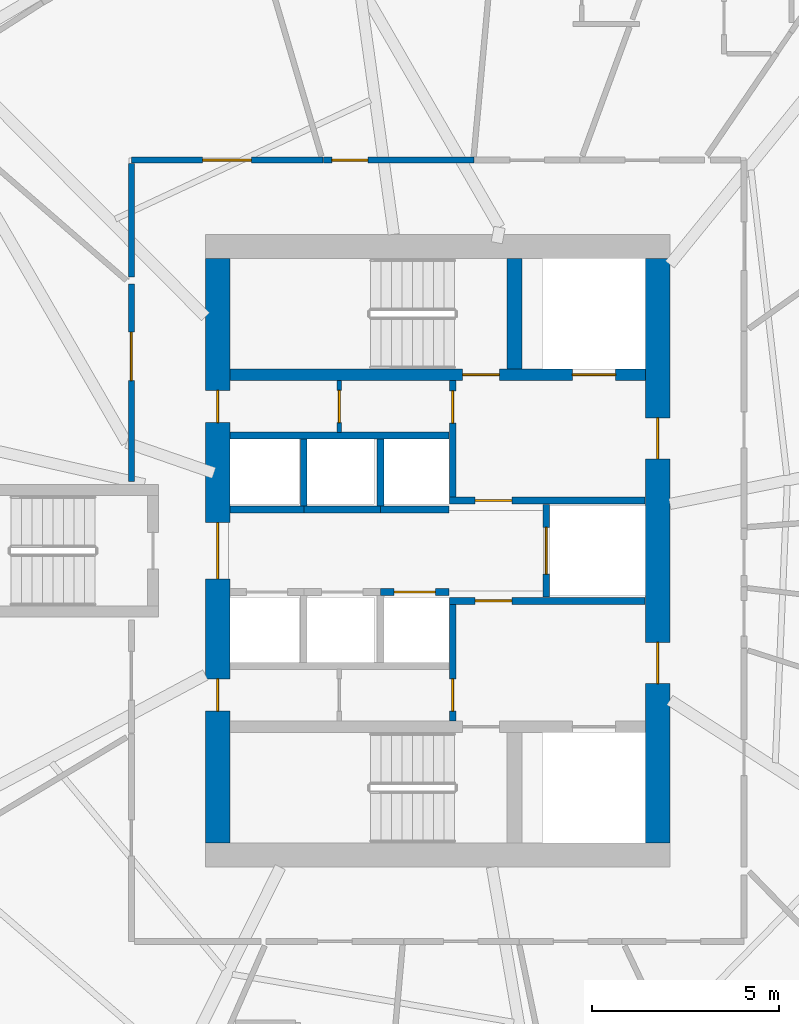
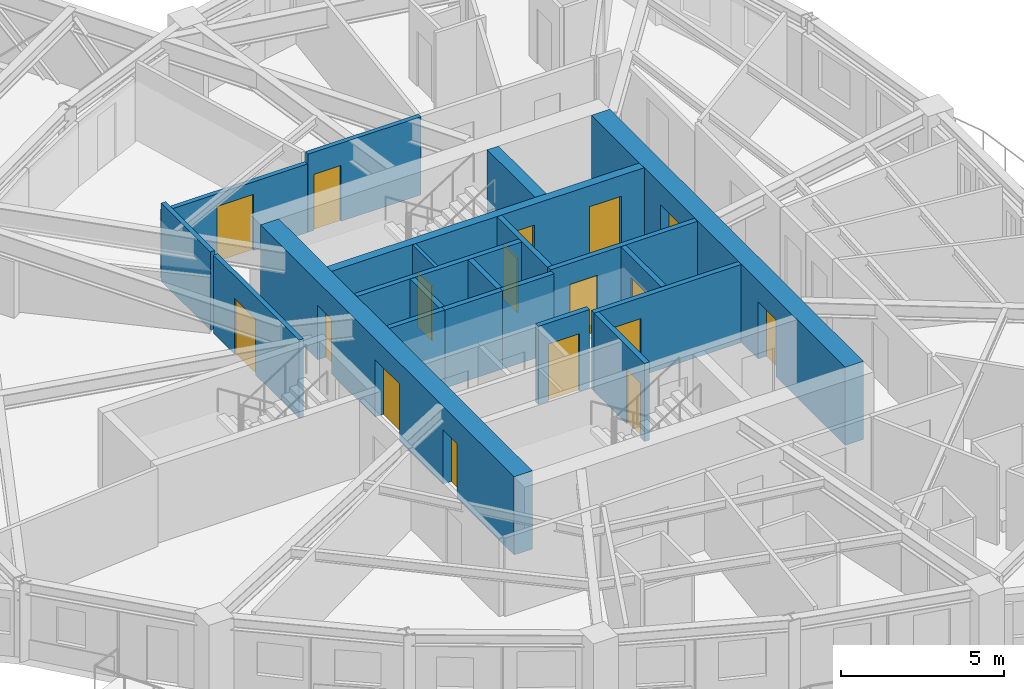
# One storey, part 7 of 14: 21 walls, 17 doors, 17 openings.
"""IFC4 building model written with IfcOpenShell, lengths in metres."""

from ifc_helpers import new_model, si_unit, direction, frame, frame_2d, origin, place, context, subcontext, project, spatial, rectangle, extrude, source, transform, mapped, material, layer, layer_set, type_object, element, fill, save


model = new_model("IFC4")

# Units and contexts
model_context = context("Model", 3, precision=1e-05, world=origin(), true_north=direction((0.0, 1.0)))
body_context = subcontext(model_context, "Body", "Model", "MODEL_VIEW")
ifc_project = project(units=[si_unit("LENGTHUNIT", "METRE"), si_unit("AREAUNIT", "SQUARE_METRE"), si_unit("VOLUMEUNIT", "CUBIC_METRE"), si_unit("PLANEANGLEUNIT", "RADIAN"), si_unit("MASSUNIT", "GRAM", prefix="KILO")], contexts=[model_context])

# Site, building, storey
site_placement = place(None, origin())
site = spatial("IfcSite", under=ifc_project, at=site_placement, CompositionType="ELEMENT")
building_placement = place(site_placement, origin())
building = spatial("IfcBuilding", under=site, at=building_placement, Name="Qafzar Sky-Pleat Residences", CompositionType="ELEMENT")
storey_placement = place(building_placement, frame((0.0, 0.0, 83.199951171875)))
storey = spatial("IfcBuildingStorey", under=building, at=storey_placement, Name="L24", CompositionType="ELEMENT", Elevation=83.199951171875)

# Wall, opening, door
ifc_material_1 = material(Name="Acoustic gypsum plasterboard partition", Category="gypsum")
ifc_layer_1 = layer(ifc_material_1, 0.159912109375)
ifc_layer_set_1 = layer_set([ifc_layer_1], Name="Acoustic gypsum plasterboard partition")
wall_type_1 = type_object("IfcWallType", Name="PART-COR-160", PredefinedType="PARTITIONING", material=ifc_layer_set_1)
wall_1_placement = place(storey_placement, frame((22.169921875, 27.85009765625, 0.0), z_axis=(0.0, 0.0, 1.0), x_axis=(0.0, 1.0, 0.0)))
wall_1 = element("IfcWall", 1, at=wall_1_placement, inside=storey, type_object=wall_type_1, Name="L24 Partition Wall PART-L24-PW-004", PredefinedType="PARTITIONING", context=body_context, shape_type="SweptSolid", body=[
    extrude(rectangle(XDim=5.27587890625, YDim=0.159912109375, at=frame_2d((2.637939453125, 0.0))), origin(), (0.0, 0.0, 1.0), 2.93505859375),
])
opening_1_placement = place(wall_1_placement, frame((2.689453125, 0.0, 0.0)))
opening_1 = element("IfcOpeningElement", 2, at=opening_1_placement, cuts=wall_1, Name="Opening ID-05", PredefinedType="OPENING", context=body_context, shape_type="SweptSolid", body=[
    extrude(rectangle(XDim=1.300048828125, YDim=2.10009765625, at=frame_2d((0.64990234375, 1.050048828125))), frame((0.0, 0.08984375, 0.0), z_axis=(0.0, -1.0, 0.0), x_axis=(1.0, 0.0, 0.0)), (0.0, 0.0, 1.0), 0.179931640625),
])
ifc_material_2 = material(Name="Timber-faced fire door", Category="wood")
door_type_1 = type_object("IfcDoorType", Name="DR-LNG-1300", OperationType="DOUBLE_DOOR_SINGLE_SWING", PredefinedType="DOOR", material=ifc_material_2)
shared_shape_1 = source(origin(), body_context, "Body", "SweptSolid", [
    extrude(rectangle(XDim=1.300048828125, YDim=2.10009765625, at=frame_2d((0.64990234375, 1.050048828125))), frame((0.0, 0.02490234375, 0.0), z_axis=(0.0, -1.0, 0.0), x_axis=(1.0, 0.0, 0.0)), (0.0, 0.0, 1.0), 0.050048828125),
])
door_1_placement = place(opening_1_placement, origin())
door_1 = element("IfcDoor", 3, at=door_1_placement, inside=storey, type_object=door_type_1, Name="L24 Academic Seminar Room Door", OperationType="DOUBLE_DOOR_SINGLE_SWING", OverallHeight=2.10009765625, OverallWidth=1.300048828125, PredefinedType="DOOR", context=body_context, shape_type="MappedRepresentation", body=[
    mapped(shared_shape_1, transform((0.0, 0.0, 0.0), x_axis=(1.0, 0.0, 0.0), y_axis=(0.0, 1.0, 0.0), z_axis=(0.0, 0.0, 1.0), scale=1.0)),
])
fill(opening_1, door_1)

wall_2_placement = place(storey_placement, frame((22.169921875, 36.429931640625, 0.0), z_axis=(0.0, 0.0, 1.0), x_axis=(1.0, 0.0, 0.0)))
wall_2 = element("IfcWall", 4, at=wall_2_placement, inside=storey, type_object=wall_type_1, Name="L24 Partition Wall PART-L24-PW-006", PredefinedType="PARTITIONING", context=body_context, shape_type="SweptSolid", body=[
    extrude(rectangle(XDim=5.1220703125, YDim=0.159912109375, at=frame_2d((2.56103515625, 0.0))), origin(), (0.0, 0.0, 1.0), 2.572998046875),
])
opening_2_placement = place(wall_2_placement, frame((1.903076171875, 0.0, 0.0)))
opening_2 = element("IfcOpeningElement", 5, at=opening_2_placement, cuts=wall_2, Name="Opening ID-05", PredefinedType="OPENING", context=body_context, shape_type="SweptSolid", body=[
    extrude(rectangle(XDim=1.300048828125, YDim=2.10009765625, at=frame_2d((0.64990234375, 1.050048828125))), frame((0.0, 0.08984375, 0.0), z_axis=(0.0, -1.0, 0.0), x_axis=(1.0, 0.0, 0.0)), (0.0, 0.0, 1.0), 0.179931640625),
])
door_2_placement = place(opening_2_placement, origin())
door_2 = element("IfcDoor", 6, at=door_2_placement, inside=storey, type_object=door_type_1, Name="L24 Co-Living Lounge Door", OperationType="DOUBLE_DOOR_SINGLE_SWING", OverallHeight=2.10009765625, OverallWidth=1.300048828125, PredefinedType="DOOR", context=body_context, shape_type="MappedRepresentation", body=[
    mapped(shared_shape_1, transform((0.0, 0.0, 0.0), x_axis=(1.0, 0.0, 0.0), y_axis=(0.0, 1.0, 0.0), z_axis=(0.0, 0.0, 1.0), scale=1.0)),
])
fill(opening_2, door_2)

wall_3_placement = place(storey_placement, frame((27.306884765625, 36.429931640625, 0.0), z_axis=(0.0, 0.0, 1.0), x_axis=(1.0, 0.0, 0.0)))
wall_3 = element("IfcWall", 7, at=wall_3_placement, inside=storey, type_object=wall_type_1, Name="L24 Partition Wall PART-L24-PW-008", PredefinedType="PARTITIONING", context=body_context, shape_type="SweptSolid", body=[
    extrude(rectangle(XDim=4.01318359375, YDim=0.159912109375, at=frame_2d((2.006591796875, 0.0))), origin(), (0.0, 0.0, 1.0), 2.93505859375),
])
opening_3_placement = place(wall_3_placement, frame((0.219970703125, 0.0, 0.0)))
opening_3 = element("IfcOpeningElement", 8, at=opening_3_placement, cuts=wall_3, Name="Opening ID-06", PredefinedType="OPENING", context=body_context, shape_type="SweptSolid", body=[
    extrude(rectangle(XDim=0.9599609375, YDim=2.10009765625, at=frame_2d((0.47998046875, 1.050048828125))), frame((0.0, 0.08984375, 0.0), z_axis=(0.0, -1.0, 0.0), x_axis=(1.0, 0.0, 0.0)), (0.0, 0.0, 1.0), 0.179931640625),
])
door_type_2 = type_object("IfcDoorType", Name="DR-STD-960", OperationType="NOTDEFINED", PredefinedType="DOOR", material=ifc_material_2)
shared_shape_2 = source(origin(), body_context, "Body", "SweptSolid", [
    extrude(rectangle(XDim=0.9599609375, YDim=2.10009765625, at=frame_2d((0.47998046875, 1.050048828125))), frame((0.0, 0.02490234375, 0.0), z_axis=(0.0, -1.0, 0.0), x_axis=(1.0, 0.0, 0.0)), (0.0, 0.0, 1.0), 0.050048828125),
])
door_3_placement = place(opening_3_placement, origin())
door_3 = element("IfcDoor", 9, at=door_3_placement, inside=storey, type_object=door_type_2, Name="L24 Faculty Research Office Door", OperationType="SINGLE_SWING_LEFT", OverallHeight=2.10009765625, OverallWidth=0.9599609375, PredefinedType="DOOR", context=body_context, shape_type="MappedRepresentation", body=[
    mapped(shared_shape_2, transform((0.0, 0.0, 0.0), x_axis=(1.0, 0.0, 0.0), y_axis=(0.0, 1.0, 0.0), z_axis=(0.0, 0.0, 1.0), scale=1.0)),
])
fill(opening_3, door_3)

# Wall
wall_4_placement = place(storey_placement, frame((22.169921875, 33.314697265625, 0.0), z_axis=(0.0, 0.0, 1.0), x_axis=(0.0, 1.0, 0.0)))
element("IfcWall", 10, at=wall_4_placement, inside=storey, type_object=wall_type_1, Name="L24 Partition Wall PART-L24-PW-045", PredefinedType="PARTITIONING", context=body_context, shape_type="SweptSolid", body=[
    extrude(rectangle(XDim=3.02734375, YDim=0.159912109375, at=frame_2d((1.513671875, 0.0))), origin(), (0.0, 0.0, 1.0), 2.93505859375),
])

# Wall, opening, door
ifc_material_3 = material(Name="Concrete blockwork partition", Category="masonry")
ifc_layer_2 = layer(ifc_material_3, 0.179931640625)
ifc_layer_set_2 = layer_set([ifc_layer_2], Name="Concrete blockwork partition")
wall_type_2 = type_object("IfcWallType", Name="PART-SHAFT-180", PredefinedType="PARTITIONING", material=ifc_layer_set_2)
wall_5_placement = place(storey_placement, frame((30.75, 21.4599609375, 0.0), z_axis=(0.0, 0.0, 1.0), x_axis=(0.0, 1.0, 0.0)))
wall_5 = element("IfcWall", 11, at=wall_5_placement, inside=storey, type_object=wall_type_2, Name="L24 Partition Wall PART-L24-FFL1-W", PredefinedType="PARTITIONING", context=body_context, shape_type="SweptSolid", body=[
    extrude(rectangle(XDim=3.110107421875, YDim=0.179931640625, at=frame_2d((1.55517578125, 0.0))), origin(), (0.0, 0.0, 1.0), 2.93505859375),
])
opening_4_placement = place(wall_5_placement, frame((0.260009765625, 0.0, 0.0)))
opening_4 = element("IfcOpeningElement", 12, at=opening_4_placement, cuts=wall_5, Name="Opening ID-09", PredefinedType="OPENING", context=body_context, shape_type="SweptSolid", body=[
    extrude(rectangle(XDim=0.860107421875, YDim=2.050048828125, at=frame_2d((0.43017578125, 1.02490234375))), frame((0.0, 0.10009765625, 0.0), z_axis=(0.0, -1.0, 0.0), x_axis=(1.0, 0.0, 0.0)), (0.0, 0.0, 1.0), 0.199951171875),
])
door_type_3 = type_object("IfcDoorType", Name="DR-SVC-860", OperationType="NOTDEFINED", PredefinedType="DOOR", material=ifc_material_2)
shared_shape_3 = source(origin(), body_context, "Body", "SweptSolid", [
    extrude(rectangle(XDim=0.860107421875, YDim=2.050048828125, at=frame_2d((0.43017578125, 1.02490234375))), frame((0.0, 0.02490234375, 0.0), z_axis=(0.0, -1.0, 0.0), x_axis=(1.0, 0.0, 0.0)), (0.0, 0.0, 1.0), 0.050048828125),
])
door_4_placement = place(opening_4_placement, origin())
door_4 = element("IfcDoor", 13, at=door_4_placement, inside=storey, type_object=door_type_3, Name="L24 South Core Cupboard Door", OperationType="SINGLE_SWING_RIGHT", OverallHeight=2.050048828125, OverallWidth=0.860107421875, PredefinedType="DOOR", context=body_context, shape_type="MappedRepresentation", body=[
    mapped(shared_shape_3, transform((0.0, 0.0, 0.0), x_axis=(1.0, 0.0, 0.0), y_axis=(0.0, 1.0, 0.0), z_axis=(0.0, 0.0, 1.0), scale=1.0)),
])
fill(opening_4, door_4)

wall_6_placement = place(storey_placement, frame((30.669921875, 24.659912109375, 0.0), z_axis=(0.0, 0.0, 1.0), x_axis=(1.0, 0.0, 0.0)))
wall_6 = element("IfcWall", 14, at=wall_6_placement, inside=storey, type_object=wall_type_2, Name="L24 Partition Wall PART-L24-FFL1-N", PredefinedType="PARTITIONING", context=body_context, shape_type="SweptSolid", body=[
    extrude(rectangle(XDim=5.219970703125, YDim=0.179931640625, at=frame_2d((2.60986328125, 0.0))), origin(), (0.0, 0.0, 1.0), 2.93505859375),
])
opening_5_placement = place(wall_6_placement, frame((0.679931640625, 0.0, 0.0)))
opening_5 = element("IfcOpeningElement", 15, at=opening_5_placement, cuts=wall_6, Name="Opening ID-01", PredefinedType="OPENING", context=body_context, shape_type="SweptSolid", body=[
    extrude(rectangle(XDim=0.97998046875, YDim=2.14990234375, at=frame_2d((0.489990234375, 1.074951171875))), frame((0.0, 0.10009765625, 0.0), z_axis=(0.0, -1.0, 0.0), x_axis=(1.0, 0.0, 0.0)), (0.0, 0.0, 1.0), 0.199951171875),
])
door_type_4 = type_object("IfcDoorType", Name="DR-STAIR-980", OperationType="NOTDEFINED", PredefinedType="DOOR", material=ifc_material_2)
shared_shape_4 = source(origin(), body_context, "Body", "SweptSolid", [
    extrude(rectangle(XDim=0.97998046875, YDim=2.14990234375, at=frame_2d((0.489990234375, 1.074951171875))), frame((0.0, 0.02490234375, 0.0), z_axis=(0.0, -1.0, 0.0), x_axis=(1.0, 0.0, 0.0)), (0.0, 0.0, 1.0), 0.050048828125),
])
door_5_placement = place(opening_5_placement, origin())
door_5 = element("IfcDoor", 16, at=door_5_placement, inside=storey, type_object=door_type_4, Name="L24 Lift Lobby to South Firefighting Lobby Door", OperationType="SINGLE_SWING_LEFT", OverallHeight=2.14990234375, OverallWidth=0.97998046875, PredefinedType="DOOR", context=body_context, shape_type="MappedRepresentation", body=[
    mapped(shared_shape_4, transform((0.0, 0.0, 0.0), x_axis=(1.0, 0.0, 0.0), y_axis=(0.0, 1.0, 0.0), z_axis=(0.0, 0.0, 1.0), scale=1.0)),
])
fill(opening_5, door_5)

wall_7_placement = place(storey_placement, frame((30.75, 27.429931640625, 0.0), z_axis=(0.0, 0.0, 1.0), x_axis=(0.0, 1.0, 0.0)))
wall_7 = element("IfcWall", 17, at=wall_7_placement, inside=storey, type_object=wall_type_2, Name="L24 Partition Wall PART-L24-FFL2-W", PredefinedType="PARTITIONING", context=body_context, shape_type="SweptSolid", body=[
    extrude(rectangle(XDim=3.110107421875, YDim=0.179931640625, at=frame_2d((1.55517578125, 0.0))), origin(), (0.0, 0.0, 1.0), 2.93505859375),
])
opening_6_placement = place(wall_7_placement, frame((1.97998046875, 0.0, 0.0)))
opening_6 = element("IfcOpeningElement", 18, at=opening_6_placement, cuts=wall_7, Name="Opening ID-09", PredefinedType="OPENING", context=body_context, shape_type="SweptSolid", body=[
    extrude(rectangle(XDim=0.860107421875, YDim=2.050048828125, at=frame_2d((0.43017578125, 1.02490234375))), frame((0.0, 0.10009765625, 0.0), z_axis=(0.0, -1.0, 0.0), x_axis=(1.0, 0.0, 0.0)), (0.0, 0.0, 1.0), 0.199951171875),
])
door_6_placement = place(opening_6_placement, origin())
door_6 = element("IfcDoor", 19, at=door_6_placement, inside=storey, type_object=door_type_3, Name="L24 North Core Cupboard Door", OperationType="SINGLE_SWING_RIGHT", OverallHeight=2.050048828125, OverallWidth=0.860107421875, PredefinedType="DOOR", context=body_context, shape_type="MappedRepresentation", body=[
    mapped(shared_shape_3, transform((0.0, 0.0, 0.0), x_axis=(1.0, 0.0, 0.0), y_axis=(0.0, 1.0, 0.0), z_axis=(0.0, 0.0, 1.0), scale=1.0)),
])
fill(opening_6, door_6)

wall_8_placement = place(storey_placement, frame((30.669921875, 27.340087890625, 0.0), z_axis=(0.0, 0.0, 1.0), x_axis=(1.0, 0.0, 0.0)))
wall_8 = element("IfcWall", 20, at=wall_8_placement, inside=storey, type_object=wall_type_2, Name="L24 Partition Wall PART-L24-FFL2-S", PredefinedType="PARTITIONING", context=body_context, shape_type="SweptSolid", body=[
    extrude(rectangle(XDim=5.219970703125, YDim=0.179931640625, at=frame_2d((2.60986328125, 0.0))), origin(), (0.0, 0.0, 1.0), 2.93505859375),
])
opening_7_placement = place(wall_8_placement, frame((0.679931640625, 0.0, 0.0)))
opening_7 = element("IfcOpeningElement", 21, at=opening_7_placement, cuts=wall_8, Name="Opening ID-01", PredefinedType="OPENING", context=body_context, shape_type="SweptSolid", body=[
    extrude(rectangle(XDim=0.97998046875, YDim=2.14990234375, at=frame_2d((0.489990234375, 1.074951171875))), frame((0.0, 0.10009765625, 0.0), z_axis=(0.0, -1.0, 0.0), x_axis=(1.0, 0.0, 0.0)), (0.0, 0.0, 1.0), 0.199951171875),
])
door_7_placement = place(opening_7_placement, origin())
door_7 = element("IfcDoor", 22, at=door_7_placement, inside=storey, type_object=door_type_4, Name="L24 Lift Lobby to North Firefighting Lobby Door", OperationType="SINGLE_SWING_LEFT", OverallHeight=2.14990234375, OverallWidth=0.97998046875, PredefinedType="DOOR", context=body_context, shape_type="MappedRepresentation", body=[
    mapped(shared_shape_4, transform((0.0, 0.0, 0.0), x_axis=(1.0, 0.0, 0.0), y_axis=(0.0, 1.0, 0.0), z_axis=(0.0, 0.0, 1.0), scale=1.0)),
])
fill(opening_7, door_7)

wall_9_placement = place(storey_placement, frame((33.25, 24.760009765625, 0.0), z_axis=(0.0, 0.0, 1.0), x_axis=(0.0, 1.0, 0.0)))
wall_9 = element("IfcWall", 23, at=wall_9_placement, inside=storey, type_object=wall_type_2, Name="L24 Partition Wall PART-L24-SV1-W", PredefinedType="PARTITIONING", context=body_context, shape_type="SweptSolid", body=[
    extrude(rectangle(XDim=2.47998046875, YDim=0.179931640625, at=frame_2d((1.239990234375, 0.0))), origin(), (0.0, 0.0, 1.0), 2.93505859375),
])
opening_8_placement = place(wall_9_placement, frame((0.614990234375, 0.0, 0.0)))
opening_8 = element("IfcOpeningElement", 24, at=opening_8_placement, cuts=wall_9, Name="Opening LD-03", PredefinedType="OPENING", context=body_context, shape_type="SweptSolid", body=[
    extrude(rectangle(XDim=1.25, YDim=2.14990234375, at=frame_2d((0.625, 1.074951171875))), frame((0.0, 0.10009765625, 0.0), z_axis=(0.0, -1.0, 0.0), x_axis=(1.0, 0.0, 0.0)), (0.0, 0.0, 1.0), 0.199951171875),
])
ifc_material_4 = material(Name="Stainless steel sliding landing door", Category="steel")
door_type_5 = type_object("IfcDoorType", Name="DR-LIFT-SV", OperationType="DOUBLE_DOOR_SLIDING", PredefinedType="DOOR", material=ifc_material_4)
shared_shape_5 = source(origin(), body_context, "Body", "SweptSolid", [
    extrude(rectangle(XDim=1.25, YDim=2.14990234375, at=frame_2d((0.625, 1.074951171875))), frame((0.0, 0.02490234375, 0.0), z_axis=(0.0, -1.0, 0.0), x_axis=(1.0, 0.0, 0.0)), (0.0, 0.0, 1.0), 0.050048828125),
])
door_8_placement = place(opening_8_placement, origin())
door_8 = element("IfcDoor", 25, at=door_8_placement, inside=storey, type_object=door_type_5, Name="L24 Service Lift SV1 Landing Door", OperationType="DOUBLE_DOOR_SLIDING", OverallHeight=2.14990234375, OverallWidth=1.25, PredefinedType="DOOR", context=body_context, shape_type="MappedRepresentation", body=[
    mapped(shared_shape_5, transform((0.0, 0.0, 0.0), x_axis=(1.0, 0.0, 0.0), y_axis=(0.0, 1.0, 0.0), z_axis=(0.0, 0.0, 1.0), scale=1.0)),
])
fill(opening_8, door_8)

wall_10_placement = place(storey_placement, frame((28.824951171875, 24.89990234375, 0.0), z_axis=(0.0, 0.0, 1.0), x_axis=(1.0, 0.0, 0.0)))
wall_10 = element("IfcWall", 26, at=wall_10_placement, inside=storey, type_object=wall_type_2, Name="L24 Partition Wall PART-L24-P3-N", PredefinedType="PARTITIONING", context=body_context, shape_type="SweptSolid", body=[
    extrude(rectangle(XDim=1.824951171875, YDim=0.179931640625, at=frame_2d((0.91259765625, 0.0))), origin(), (0.0, 0.0, 1.0), 2.93505859375),
])
opening_9_placement = place(wall_10_placement, frame((0.362548828125, 0.0, 0.0)))
opening_9 = element("IfcOpeningElement", 27, at=opening_9_placement, cuts=wall_10, Name="Opening LD-01", PredefinedType="OPENING", context=body_context, shape_type="SweptSolid", body=[
    extrude(rectangle(XDim=1.10009765625, YDim=2.14990234375, at=frame_2d((0.550048828125, 1.074951171875))), frame((0.0, 0.10009765625, 0.0), z_axis=(0.0, -1.0, 0.0), x_axis=(1.0, 0.0, 0.0)), (0.0, 0.0, 1.0), 0.199951171875),
])
door_type_6 = type_object("IfcDoorType", Name="DR-LIFT-P", OperationType="DOUBLE_DOOR_SLIDING", PredefinedType="DOOR", material=ifc_material_4)
shared_shape_6 = source(origin(), body_context, "Body", "SweptSolid", [
    extrude(rectangle(XDim=1.10009765625, YDim=2.14990234375, at=frame_2d((0.550048828125, 1.074951171875))), frame((0.0, 0.02490234375, 0.0), z_axis=(0.0, -1.0, 0.0), x_axis=(1.0, 0.0, 0.0)), (0.0, 0.0, 1.0), 0.050048828125),
])
door_9_placement = place(opening_9_placement, origin())
door_9 = element("IfcDoor", 28, at=door_9_placement, inside=storey, type_object=door_type_6, Name="L24 Passenger Lift P3 Landing Door", OperationType="DOUBLE_DOOR_SLIDING", OverallHeight=2.14990234375, OverallWidth=1.10009765625, PredefinedType="DOOR", context=body_context, shape_type="MappedRepresentation", body=[
    mapped(shared_shape_6, transform((0.0, 0.0, 0.0), x_axis=(1.0, 0.0, 0.0), y_axis=(0.0, 1.0, 0.0), z_axis=(0.0, 0.0, 1.0), scale=1.0)),
])
fill(opening_9, door_9)

# Walls
wall_11_placement = place(storey_placement, frame((24.81005859375, 29.080078125, 0.0), z_axis=(0.0, 0.0, 1.0), x_axis=(1.0, 0.0, 0.0)))
element("IfcWall", 29, at=wall_11_placement, inside=storey, type_object=wall_type_2, Name="L24 Partition Wall PART-L24-P46-N", PredefinedType="PARTITIONING", context=body_context, shape_type="SweptSolid", body=[
    extrude(rectangle(XDim=5.83984375, YDim=0.179931640625, at=frame_2d((2.919921875, 0.0))), origin(), (0.0, 0.0, 1.0), 2.93505859375),
])
wall_12_placement = place(storey_placement, frame((24.81005859375, 27.10009765625, 0.0), z_axis=(0.0, 0.0, 1.0), x_axis=(1.0, 0.0, 0.0)))
element("IfcWall", 30, at=wall_12_placement, inside=storey, type_object=wall_type_2, Name="L24 Partition Wall PART-L24-P4-S", PredefinedType="PARTITIONING", context=body_context, shape_type="SweptSolid", body=[
    extrude(rectangle(XDim=1.96484375, YDim=0.179931640625, at=frame_2d((0.982421875, 0.0))), origin(), (0.0, 0.0, 1.0), 2.93505859375),
])
wall_13_placement = place(storey_placement, frame((26.77490234375, 27.10009765625, 0.0), z_axis=(0.0, 0.0, 1.0), x_axis=(1.0, 0.0, 0.0)))
element("IfcWall", 31, at=wall_13_placement, inside=storey, type_object=wall_type_2, Name="L24 Partition Wall PART-L24-P5-S", PredefinedType="PARTITIONING", context=body_context, shape_type="SweptSolid", body=[
    extrude(rectangle(XDim=2.050048828125, YDim=0.179931640625, at=frame_2d((1.02490234375, 0.0))), origin(), (0.0, 0.0, 1.0), 2.93505859375),
])
wall_14_placement = place(storey_placement, frame((26.77490234375, 27.199951171875, 0.0), z_axis=(0.0, 0.0, 1.0), x_axis=(0.0, 1.0, 0.0)))
element("IfcWall", 32, at=wall_14_placement, inside=storey, type_object=wall_type_2, Name="L24 Partition Wall PART-L24-P46-DIV-1", PredefinedType="PARTITIONING", context=body_context, shape_type="SweptSolid", body=[
    extrude(rectangle(XDim=1.780029296875, YDim=0.179931640625, at=frame_2d((0.89013671875, 0.0))), origin(), (0.0, 0.0, 1.0), 2.93505859375),
])
wall_15_placement = place(storey_placement, frame((28.824951171875, 27.10009765625, 0.0), z_axis=(0.0, 0.0, 1.0), x_axis=(1.0, 0.0, 0.0)))
element("IfcWall", 33, at=wall_15_placement, inside=storey, type_object=wall_type_2, Name="L24 Partition Wall PART-L24-P6-S", PredefinedType="PARTITIONING", context=body_context, shape_type="SweptSolid", body=[
    extrude(rectangle(XDim=1.824951171875, YDim=0.179931640625, at=frame_2d((0.91259765625, 0.0))), origin(), (0.0, 0.0, 1.0), 2.93505859375),
])
wall_16_placement = place(storey_placement, frame((28.824951171875, 27.199951171875, 0.0), z_axis=(0.0, 0.0, 1.0), x_axis=(0.0, 1.0, 0.0)))
element("IfcWall", 34, at=wall_16_placement, inside=storey, type_object=wall_type_2, Name="L24 Partition Wall PART-L24-P46-DIV-2", PredefinedType="PARTITIONING", context=body_context, shape_type="SweptSolid", body=[
    extrude(rectangle(XDim=1.780029296875, YDim=0.179931640625, at=frame_2d((0.89013671875, 0.0))), origin(), (0.0, 0.0, 1.0), 2.93505859375),
])

# Wall, opening, door
ifc_material_5 = material(Name="Gypsum plasterboard partition", Category="gypsum")
ifc_layer_3 = layer(ifc_material_5, 0.114990234375)
ifc_layer_set_3 = layer_set([ifc_layer_3], Name="Gypsum plasterboard partition")
wall_type_3 = type_object("IfcWallType", Name="PART-SVC-115", PredefinedType="PARTITIONING", material=ifc_layer_set_3)
wall_17_placement = place(storey_placement, frame((27.72509765625, 29.159912109375, 0.0), z_axis=(0.0, 0.0, 1.0), x_axis=(0.0, 1.0, 0.0)))
wall_17 = element("IfcWall", 35, at=wall_17_placement, inside=storey, type_object=wall_type_3, Name="L24 Partition Wall PART-L24-KB-NW", PredefinedType="PARTITIONING", context=body_context, shape_type="SweptSolid", body=[
    extrude(rectangle(XDim=1.380126953125, YDim=0.114990234375, at=frame_2d((0.68994140625, 0.0))), origin(), (0.0, 0.0, 1.0), 2.93505859375),
])
opening_10_placement = place(wall_17_placement, frame((0.260009765625, 0.0, 0.0)))
opening_10 = element("IfcOpeningElement", 36, at=opening_10_placement, cuts=wall_17, Name="Opening ID-09", PredefinedType="OPENING", context=body_context, shape_type="SweptSolid", body=[
    extrude(rectangle(XDim=0.860107421875, YDim=2.050048828125, at=frame_2d((0.43017578125, 1.02490234375))), frame((0.0, 0.0673828125, 0.0), z_axis=(0.0, -1.0, 0.0), x_axis=(1.0, 0.0, 0.0)), (0.0, 0.0, 1.0), 0.135009765625),
])
door_10_placement = place(opening_10_placement, origin())
door_10 = element("IfcDoor", 37, at=door_10_placement, inside=storey, type_object=door_type_3, Name="L24 IT Cupboard Door", OperationType="SINGLE_SWING_LEFT", OverallHeight=2.050048828125, OverallWidth=0.860107421875, PredefinedType="DOOR", context=body_context, shape_type="MappedRepresentation", body=[
    mapped(shared_shape_3, transform((0.0, 0.0, 0.0), x_axis=(1.0, 0.0, 0.0), y_axis=(0.0, 1.0, 0.0), z_axis=(0.0, 0.0, 1.0), scale=1.0)),
])
fill(opening_10, door_10)

# Wall, openings, doors
ifc_material_6 = material(Name="Concrete C60/75", Category="concrete")
ifc_layer_4 = layer(ifc_material_6, 0.300048828125)
ifc_layer_set_4 = layer_set([ifc_layer_4], Name="Concrete C60/75")
wall_type_4 = type_object("IfcWallType", Name="WALL-SHEAR-300", PredefinedType="SHEAR", material=ifc_layer_set_4)
wall_18_placement = place(storey_placement, frame((24.800048828125, 30.699951171875, 0.0), z_axis=(0.0, 0.0, 1.0), x_axis=(1.0, 0.0, 0.0)))
wall_18 = element("IfcWall", 38, at=wall_18_placement, inside=storey, type_object=wall_type_4, Name="L24 Stair ST2 and FF2 Shaft South Wall", PredefinedType="SHEAR", context=body_context, shape_type="SweptSolid", body=[
    extrude(rectangle(XDim=11.099853515625, YDim=0.300048828125, at=frame_2d((5.5498046875, 0.0))), origin(), (0.0, 0.0, 1.0), 2.93505859375),
])
opening_11_placement = place(wall_18_placement, frame((6.219970703125, 0.0, 0.0)))
opening_11 = element("IfcOpeningElement", 39, at=opening_11_placement, cuts=wall_18, Name="Opening ID-01", PredefinedType="OPENING", context=body_context, shape_type="SweptSolid", body=[
    extrude(rectangle(XDim=0.97998046875, YDim=2.14990234375, at=frame_2d((0.489990234375, 1.074951171875))), frame((0.0, 0.16015625, 0.0), z_axis=(0.0, -1.0, 0.0), x_axis=(1.0, 0.0, 0.0)), (0.0, 0.0, 1.0), 0.320068359375),
])
opening_12_placement = place(wall_18_placement, frame((9.14990234375, 0.0, 0.0)))
opening_12 = element("IfcOpeningElement", 40, at=opening_12_placement, cuts=wall_18, Name="Opening LD-02", PredefinedType="OPENING", context=body_context, shape_type="SweptSolid", body=[
    extrude(rectangle(XDim=1.14990234375, YDim=2.14990234375, at=frame_2d((0.574951171875, 1.074951171875))), frame((0.0, 0.16015625, 0.0), z_axis=(0.0, -1.0, 0.0), x_axis=(1.0, 0.0, 0.0)), (0.0, 0.0, 1.0), 0.320068359375),
])
door_11_placement = place(opening_11_placement, origin())
door_11 = element("IfcDoor", 41, at=door_11_placement, inside=storey, type_object=door_type_4, Name="L24 Stair ST2 Fire Door", OperationType="SINGLE_SWING_RIGHT", OverallHeight=2.14990234375, OverallWidth=0.97998046875, PredefinedType="DOOR", context=body_context, shape_type="MappedRepresentation", body=[
    mapped(shared_shape_4, transform((0.0, 0.0, 0.0), x_axis=(1.0, 0.0, 0.0), y_axis=(0.0, 1.0, 0.0), z_axis=(0.0, 0.0, 1.0), scale=1.0)),
])
fill(opening_11, door_11)
door_type_7 = type_object("IfcDoorType", Name="DR-LIFT-FF", OperationType="DOUBLE_DOOR_SLIDING", PredefinedType="DOOR", material=ifc_material_4)
shared_shape_7 = source(origin(), body_context, "Body", "SweptSolid", [
    extrude(rectangle(XDim=1.14990234375, YDim=2.14990234375, at=frame_2d((0.574951171875, 1.074951171875))), frame((0.0, 0.02490234375, 0.0), z_axis=(0.0, -1.0, 0.0), x_axis=(1.0, 0.0, 0.0)), (0.0, 0.0, 1.0), 0.050048828125),
])
door_12_placement = place(opening_12_placement, origin())
door_12 = element("IfcDoor", 42, at=door_12_placement, inside=storey, type_object=door_type_7, Name="L24 Firefighting Lift FF2 Landing Door", OperationType="DOUBLE_DOOR_SLIDING", OverallHeight=2.14990234375, OverallWidth=1.14990234375, PredefinedType="DOOR", context=body_context, shape_type="MappedRepresentation", body=[
    mapped(shared_shape_7, transform((0.0, 0.0, 0.0), x_axis=(1.0, 0.0, 0.0), y_axis=(0.0, 1.0, 0.0), z_axis=(0.0, 0.0, 1.0), scale=1.0)),
])
fill(opening_12, door_12)

# Wall
ifc_layer_5 = layer(ifc_material_6, 0.39990234375)
ifc_layer_set_5 = layer_set([ifc_layer_5], Name="Concrete C60/75")
wall_type_5 = type_object("IfcWallType", Name="WALL-SHEAR-400", PredefinedType="SHEAR", material=ifc_layer_set_5)
wall_19_placement = place(storey_placement, frame((32.39990234375, 30.85009765625, 0.0), z_axis=(0.0, 0.0, 1.0), x_axis=(0.0, 1.0, 0.0)))
element("IfcWall", 43, at=wall_19_placement, inside=storey, type_object=wall_type_5, Name="L24 Stair ST2 East Dividing Wall", PredefinedType="SHEAR", context=body_context, shape_type="SweptSolid", body=[
    extrude(rectangle(XDim=2.949951171875, YDim=0.39990234375, at=frame_2d((1.47509765625, 0.0))), origin(), (0.0, 0.0, 1.0), 2.93505859375),
])

# Wall, openings, doors
ifc_layer_6 = layer(ifc_material_6, 0.64990234375)
ifc_layer_set_6 = layer_set([ifc_layer_6], Name="Concrete C60/75")
wall_type_6 = type_object("IfcWallType", Name="WALL-SHEAR-650", PredefinedType="SHEAR", material=ifc_layer_set_6)
wall_20_placement = place(storey_placement, frame((24.47509765625, 33.800048828125, 0.0), z_axis=(0.0, 0.0, 1.0), x_axis=(0.0, -1.0, 0.0)))
wall_20 = element("IfcWall", 44, at=wall_20_placement, inside=storey, type_object=wall_type_6, Name="L24 CORE wall W", PredefinedType="SHEAR", context=body_context, shape_type="SweptSolid", body=[
    extrude(rectangle(XDim=15.60009765625, YDim=0.64990234375, at=frame_2d((7.800048828125, 0.0))), origin(), (0.0, 0.0, 1.0), 2.93505859375),
])
opening_13_placement = place(wall_20_placement, frame((7.050048828125, 0.0, 0.0)))
opening_13 = element("IfcOpeningElement", 45, at=opening_13_placement, cuts=wall_20, Name="Opening ID-03", PredefinedType="OPENING", context=body_context, shape_type="SweptSolid", body=[
    extrude(rectangle(XDim=1.5, YDim=2.14990234375, at=frame_2d((0.75, 1.074951171875))), frame((0.0, 0.3349609375, 0.0), z_axis=(0.0, -1.0, 0.0), x_axis=(1.0, 0.0, 0.0)), (0.0, 0.0, 1.0), 0.669921875),
])
opening_14_placement = place(wall_20_placement, frame((3.52001953125, 0.0, 0.0)))
opening_14 = element("IfcOpeningElement", 46, at=opening_14_placement, cuts=wall_20, Name="Opening ID-09", PredefinedType="OPENING", context=body_context, shape_type="SweptSolid", body=[
    extrude(rectangle(XDim=0.860107421875, YDim=2.050048828125, at=frame_2d((0.43017578125, 1.02490234375))), frame((0.0, 0.3349609375, 0.0), z_axis=(0.0, -1.0, 0.0), x_axis=(1.0, 0.0, 0.0)), (0.0, 0.0, 1.0), 0.669921875),
])
opening_15_placement = place(wall_20_placement, frame((11.219970703125, 0.0, 0.0)))
opening_15 = element("IfcOpeningElement", 47, at=opening_15_placement, cuts=wall_20, Name="Opening ID-09", PredefinedType="OPENING", context=body_context, shape_type="SweptSolid", body=[
    extrude(rectangle(XDim=0.860107421875, YDim=2.050048828125, at=frame_2d((0.43017578125, 1.02490234375))), frame((0.0, 0.3349609375, 0.0), z_axis=(0.0, -1.0, 0.0), x_axis=(1.0, 0.0, 0.0)), (0.0, 0.0, 1.0), 0.669921875),
])
door_type_8 = type_object("IfcDoorType", Name="DR-COR-1500", OperationType="DOUBLE_DOOR_SINGLE_SWING", PredefinedType="DOOR", material=ifc_material_2)
shared_shape_8 = source(origin(), body_context, "Body", "SweptSolid", [
    extrude(rectangle(XDim=1.5, YDim=2.14990234375, at=frame_2d((0.75, 1.074951171875))), frame((0.0, 0.02490234375, 0.0), z_axis=(0.0, -1.0, 0.0), x_axis=(1.0, 0.0, 0.0)), (0.0, 0.0, 1.0), 0.050048828125),
])
door_13_placement = place(opening_13_placement, origin())
door_13 = element("IfcDoor", 48, at=door_13_placement, inside=storey, type_object=door_type_8, Name="L24 Lift Lobby West Double Door", OperationType="DOUBLE_DOOR_SINGLE_SWING", OverallHeight=2.14990234375, OverallWidth=1.5, PredefinedType="DOOR", context=body_context, shape_type="MappedRepresentation", body=[
    mapped(shared_shape_8, transform((0.0, 0.0, 0.0), x_axis=(1.0, 0.0, 0.0), y_axis=(0.0, 1.0, 0.0), z_axis=(0.0, 0.0, 1.0), scale=1.0)),
])
fill(opening_13, door_13)
door_14_placement = place(opening_14_placement, origin())
door_14 = element("IfcDoor", 49, at=door_14_placement, inside=storey, type_object=door_type_3, Name="L24 Core North-West Service Door", OperationType="SINGLE_SWING_RIGHT", OverallHeight=2.050048828125, OverallWidth=0.860107421875, PredefinedType="DOOR", context=body_context, shape_type="MappedRepresentation", body=[
    mapped(shared_shape_3, transform((0.0, 0.0, 0.0), x_axis=(1.0, 0.0, 0.0), y_axis=(0.0, 1.0, 0.0), z_axis=(0.0, 0.0, 1.0), scale=1.0)),
])
fill(opening_14, door_14)
door_15_placement = place(opening_15_placement, origin())
door_15 = element("IfcDoor", 50, at=door_15_placement, inside=storey, type_object=door_type_3, Name="L24 Core South-West Service Door", OperationType="SINGLE_SWING_LEFT", OverallHeight=2.050048828125, OverallWidth=0.860107421875, PredefinedType="DOOR", context=body_context, shape_type="MappedRepresentation", body=[
    mapped(shared_shape_3, transform((0.0, 0.0, 0.0), x_axis=(1.0, 0.0, 0.0), y_axis=(0.0, 1.0, 0.0), z_axis=(0.0, 0.0, 1.0), scale=1.0)),
])
fill(opening_15, door_15)

wall_21_placement = place(storey_placement, frame((36.22509765625, 18.199951171875, 0.0), z_axis=(0.0, 0.0, 1.0), x_axis=(0.0, 1.0, 0.0)))
wall_21 = element("IfcWall", 51, at=wall_21_placement, inside=storey, type_object=wall_type_6, Name="L24 CORE wall E", PredefinedType="SHEAR", context=body_context, shape_type="SweptSolid", body=[
    extrude(rectangle(XDim=15.60009765625, YDim=0.64990234375, at=frame_2d((7.800048828125, 0.0))), origin(), (0.0, 0.0, 1.0), 2.93505859375),
])
opening_16_placement = place(wall_21_placement, frame((4.25, 0.0, 0.0)))
opening_16 = element("IfcOpeningElement", 52, at=opening_16_placement, cuts=wall_21, Name="Opening ID-02", PredefinedType="OPENING", context=body_context, shape_type="SweptSolid", body=[
    extrude(rectangle(XDim=1.10009765625, YDim=2.14990234375, at=frame_2d((0.550048828125, 1.074951171875))), frame((0.0, 0.3349609375, 0.0), z_axis=(0.0, -1.0, 0.0), x_axis=(1.0, 0.0, 0.0)), (0.0, 0.0, 1.0), 0.669921875),
])
opening_17_placement = place(wall_21_placement, frame((10.25, 0.0, 0.0)))
opening_17 = element("IfcOpeningElement", 53, at=opening_17_placement, cuts=wall_21, Name="Opening ID-02", PredefinedType="OPENING", context=body_context, shape_type="SweptSolid", body=[
    extrude(rectangle(XDim=1.10009765625, YDim=2.14990234375, at=frame_2d((0.550048828125, 1.074951171875))), frame((0.0, 0.3349609375, 0.0), z_axis=(0.0, -1.0, 0.0), x_axis=(1.0, 0.0, 0.0)), (0.0, 0.0, 1.0), 0.669921875),
])
door_type_9 = type_object("IfcDoorType", Name="DR-FFL-1100", OperationType="NOTDEFINED", PredefinedType="DOOR", material=ifc_material_2)
door_16_placement = place(opening_16_placement, origin())
door_16 = element("IfcDoor", 54, at=door_16_placement, inside=storey, type_object=door_type_9, Name="L24 Firefighting Lobby South Corridor Door", OperationType="SINGLE_SWING_RIGHT", OverallHeight=2.14990234375, OverallWidth=1.10009765625, PredefinedType="DOOR", context=body_context, shape_type="MappedRepresentation", body=[
    mapped(shared_shape_6, transform((0.0, 0.0, 0.0), x_axis=(1.0, 0.0, 0.0), y_axis=(0.0, 1.0, 0.0), z_axis=(0.0, 0.0, 1.0), scale=1.0)),
])
fill(opening_16, door_16)
door_17_placement = place(opening_17_placement, origin())
door_17 = element("IfcDoor", 55, at=door_17_placement, inside=storey, type_object=door_type_9, Name="L24 Firefighting Lobby North Corridor Door", OperationType="SINGLE_SWING_LEFT", OverallHeight=2.14990234375, OverallWidth=1.10009765625, PredefinedType="DOOR", context=body_context, shape_type="MappedRepresentation", body=[
    mapped(shared_shape_6, transform((0.0, 0.0, 0.0), x_axis=(1.0, 0.0, 0.0), y_axis=(0.0, 1.0, 0.0), z_axis=(0.0, 0.0, 1.0), scale=1.0)),
])
fill(opening_17, door_17)

save(model, "model.ifc")
